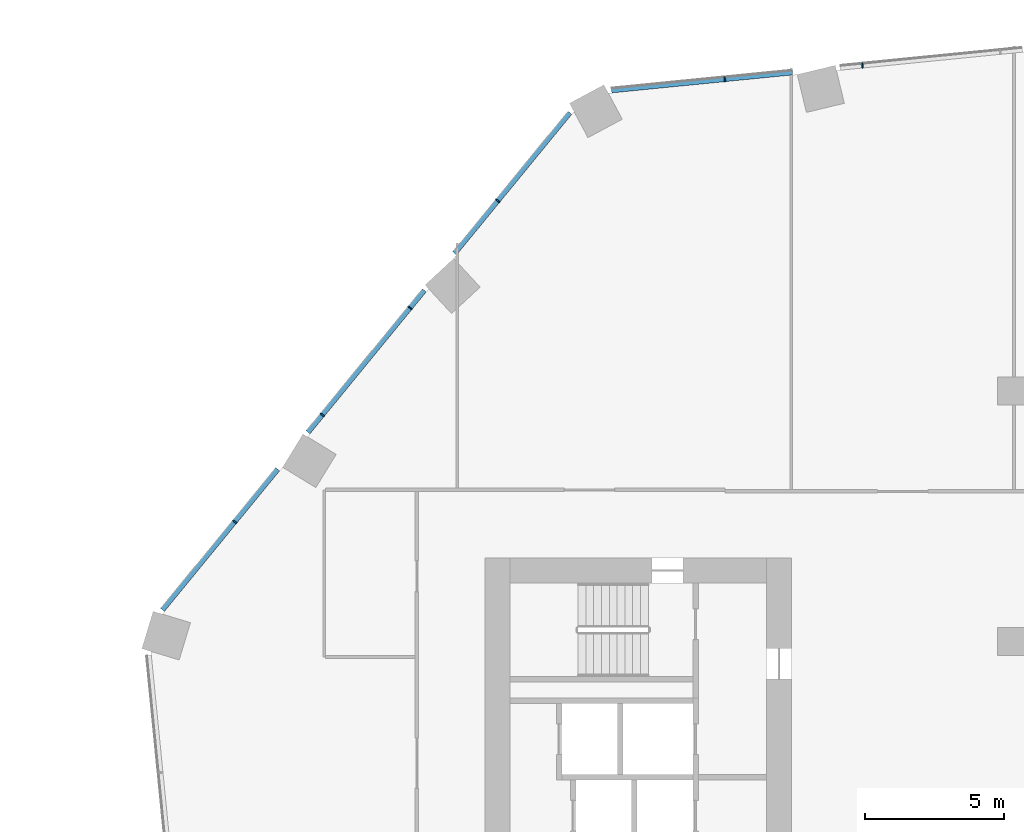
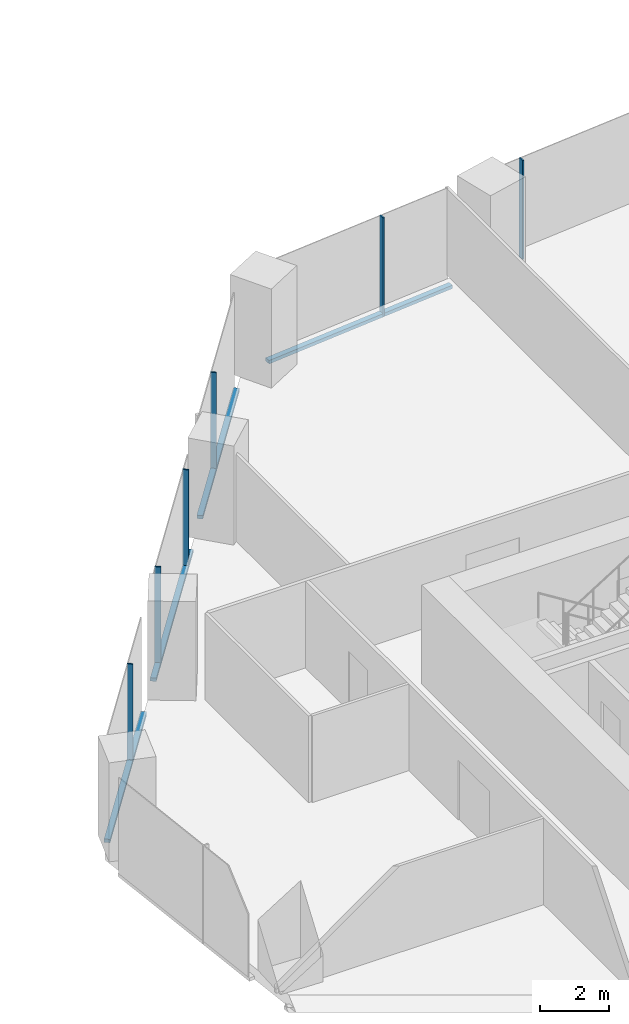
# One storey, part 12 of 34: 10 members, 2 elements without a shape of their own.
"""IFC4 building model written with IfcOpenShell, lengths in metres."""

from ifc_helpers import new_model, si_unit, direction, frame, origin, origin_2d, place, context, subcontext, project, spatial, rectangle, extrude, material, material_profile, profile_set, type_object, element, aggregate, save


model = new_model("IFC4")

# Units and contexts
model_context = context("Model", 3, precision=1e-05, world=origin(), true_north=direction((0.0, 1.0)))
body_context = subcontext(model_context, "Body", "Model", "MODEL_VIEW")
ifc_project = project(units=[si_unit("LENGTHUNIT", "METRE"), si_unit("AREAUNIT", "SQUARE_METRE"), si_unit("VOLUMEUNIT", "CUBIC_METRE"), si_unit("PLANEANGLEUNIT", "RADIAN"), si_unit("MASSUNIT", "GRAM", prefix="KILO")], contexts=[model_context])

# Site, building, storey
site_placement = place(None, origin())
site = spatial("IfcSite", under=ifc_project, at=site_placement, CompositionType="ELEMENT")
building_placement = place(site_placement, origin())
building = spatial("IfcBuilding", under=site, at=building_placement, Name="Orlundy Tower", CompositionType="ELEMENT")
storey_placement = place(building_placement, frame((0.0, 0.0, 40.800048828125)))
storey = spatial("IfcBuildingStorey", under=building, at=storey_placement, Name="L08", CompositionType="ELEMENT", Elevation=40.800048828125)

# Curtain wall, members
ifc_material_1 = material(Name="Aluminium bronze anodised", Category="aluminium")
curtain_wall_type = type_object("IfcCurtainWallType", Name="CW1 wall", PredefinedType="NOTDEFINED", material=ifc_material_1)
curtain_wall_1_placement = place(storey_placement, origin())
curtain_wall_1 = element("IfcCurtainWall", 1, at=curtain_wall_1_placement, inside=storey, type_object=curtain_wall_type, Name="CW1 run 02", PredefinedType="NOTDEFINED")
ifc_material_2 = material(Name="Aluminium bronze anodised", Category="aluminium")
ifc_material_profile_1 = material_profile(ifc_material_2, rectangle(XDim=0.179931640625, YDim=0.050048828125, at=origin_2d()), Name="CW1 mullion 50x180")
ifc_profile_set_1 = profile_set([ifc_material_profile_1], Name="Aluminium bronze anodised")
member_type_1 = type_object("IfcMemberType", Name="CW1 mullion 50x180", PredefinedType="MULLION", material=ifc_profile_set_1)
member_1_placement = place(storey_placement, frame((-27.999267578125, 13.3046875, -0.420166015625), z_axis=(0.0, 0.0, 1.0), x_axis=(-0.773482002143, 0.633818264458, 0.0)))
member_1 = element("IfcMember", 2, at=member_1_placement, type_object=member_type_1, Name="CW1 mullion 10", PredefinedType="MULLION", context=body_context, shape_type="SweptSolid", body=[
    extrude(rectangle(XDim=0.179931640625, YDim=0.050048828125, at=origin_2d()), origin(), (0.0, 0.0, 1.0), 3.5),
])
member_2_placement = place(storey_placement, frame((-24.848876953125, 17.149169921875, -0.420166015625), z_axis=(0.0, 0.0, 1.0), x_axis=(-0.773482002143, 0.633818264458, 0.0)))
member_2 = element("IfcMember", 3, at=member_2_placement, type_object=member_type_1, Name="CW1 mullion 11", PredefinedType="MULLION", context=body_context, shape_type="SweptSolid", body=[
    extrude(rectangle(XDim=0.179931640625, YDim=0.050048828125, at=origin_2d()), origin(), (0.0, 0.0, 1.0), 3.5),
])
member_3_placement = place(storey_placement, frame((-21.698486328125, 20.993896484375, -0.420166015625), z_axis=(0.0, 0.0, 1.0), x_axis=(-0.773482002143, 0.633818264458, 0.0)))
member_3 = element("IfcMember", 4, at=member_3_placement, type_object=member_type_1, Name="CW1 mullion 12", PredefinedType="MULLION", context=body_context, shape_type="SweptSolid", body=[
    extrude(rectangle(XDim=0.179931640625, YDim=0.050048828125, at=origin_2d()), origin(), (0.0, 0.0, 1.0), 3.5),
])
member_4_placement = place(storey_placement, frame((-18.548095703125, 24.83837890625, -0.420166015625), z_axis=(0.0, 0.0, 1.0), x_axis=(-0.773482002143, 0.633818264458, 0.0)))
member_4 = element("IfcMember", 5, at=member_4_placement, type_object=member_type_1, Name="CW1 mullion 13", PredefinedType="MULLION", context=body_context, shape_type="SweptSolid", body=[
    extrude(rectangle(XDim=0.179931640625, YDim=0.050048828125, at=origin_2d()), origin(), (0.0, 0.0, 1.0), 3.5),
])

curtain_wall_2_placement = place(storey_placement, origin())
curtain_wall_2 = element("IfcCurtainWall", 6, at=curtain_wall_2_placement, inside=storey, type_object=curtain_wall_type, Name="CW1 run 03", PredefinedType="NOTDEFINED")
member_5_placement = place(storey_placement, frame((-10.390625, 29.206298828125, -0.420166015625), z_axis=(0.0, 0.0, 1.0), x_axis=(-0.098742763424, 0.995112991912, 0.0)))
member_5 = element("IfcMember", 7, at=member_5_placement, type_object=member_type_1, Name="CW1 mullion 15", PredefinedType="MULLION", context=body_context, shape_type="SweptSolid", body=[
    extrude(rectangle(XDim=0.179931640625, YDim=0.050048828125, at=origin_2d()), origin(), (0.0, 0.0, 1.0), 3.5),
])
member_6_placement = place(storey_placement, frame((-5.444580078125, 29.697265625, -0.420166015625), z_axis=(0.0, 0.0, 1.0), x_axis=(-0.098742763424, 0.995112991912, 0.0)))
member_6 = element("IfcMember", 8, at=member_6_placement, type_object=member_type_1, Name="CW1 mullion 16", PredefinedType="MULLION", context=body_context, shape_type="SweptSolid", body=[
    extrude(rectangle(XDim=0.179931640625, YDim=0.050048828125, at=origin_2d()), origin(), (0.0, 0.0, 1.0), 3.5),
])

# Member
ifc_material_3 = material(Name="Aluminium bronze anodised", Category="aluminium")
ifc_material_profile_2 = material_profile(ifc_material_3, rectangle(XDim=0.179931640625, YDim=0.1201171875, at=origin_2d()), Name="CW1 transom 180x120")
ifc_profile_set_2 = profile_set([ifc_material_profile_2], Name="Aluminium bronze anodised")
member_type_2 = type_object("IfcMemberType", Name="CW1 transom 180x120", PredefinedType="USERDEFINED", material=ifc_profile_set_2)
member_7_placement = place(storey_placement, frame((-30.590087890625, 10.142822265625, -0.360107421875), z_axis=(0.633823853358, 0.773477422369, 0.0), x_axis=(-0.773477422369, 0.633823853358, 0.0)))
member_7 = element("IfcMember", 9, at=member_7_placement, type_object=member_type_2, Name="CW1 transom", ObjectType="TRANSOM", PredefinedType="USERDEFINED", context=body_context, shape_type="SweptSolid", body=[
    extrude(rectangle(XDim=0.179931640625, YDim=0.1201171875, at=origin_2d()), origin(), (0.0, 0.0, 1.0), 6.53125),
])

member_8_placement = place(storey_placement, frame((-25.36279296875, 16.52197265625, -0.360107421875), z_axis=(0.633828457298, 0.77347364966, 0.0), x_axis=(-0.77347364966, 0.633828457298, 0.0)))
member_8 = element("IfcMember", 10, at=member_8_placement, type_object=member_type_2, Name="CW1 transom", ObjectType="TRANSOM", PredefinedType="USERDEFINED", context=body_context, shape_type="SweptSolid", body=[
    extrude(rectangle(XDim=0.179931640625, YDim=0.1201171875, at=origin_2d()), origin(), (0.0, 0.0, 1.0), 6.5927734375),
])

member_9_placement = place(storey_placement, frame((-20.096435546875, 22.94873046875, -0.360107421875), z_axis=(0.633805527975, 0.773492438688, 0.0), x_axis=(-0.773492438688, 0.633805527975, 0.0)))
member_9 = element("IfcMember", 11, at=member_9_placement, type_object=member_type_2, Name="CW1 transom", ObjectType="TRANSOM", PredefinedType="USERDEFINED", context=body_context, shape_type="SweptSolid", body=[
    extrude(rectangle(XDim=0.179931640625, YDim=0.1201171875, at=origin_2d()), origin(), (0.0, 0.0, 1.0), 6.531494140625),
])

aggregate(curtain_wall_1, [member_1, member_2, member_3, member_4, member_7, member_8, member_9])

member_10_placement = place(storey_placement, frame((-14.457763671875, 28.802734375, -0.360107421875), z_axis=(0.995111303398, 0.098759778505, 0.0), x_axis=(-0.098759778505, 0.995111303398, 0.0)))
member_10 = element("IfcMember", 12, at=member_10_placement, type_object=member_type_2, Name="CW1 transom", ObjectType="TRANSOM", PredefinedType="USERDEFINED", context=body_context, shape_type="SweptSolid", body=[
    extrude(rectangle(XDim=0.179931640625, YDim=0.1201171875, at=origin_2d()), origin(), (0.0, 0.0, 1.0), 6.53125),
])

aggregate(curtain_wall_2, [member_5, member_6, member_10])

save(model, "model.ifc")
